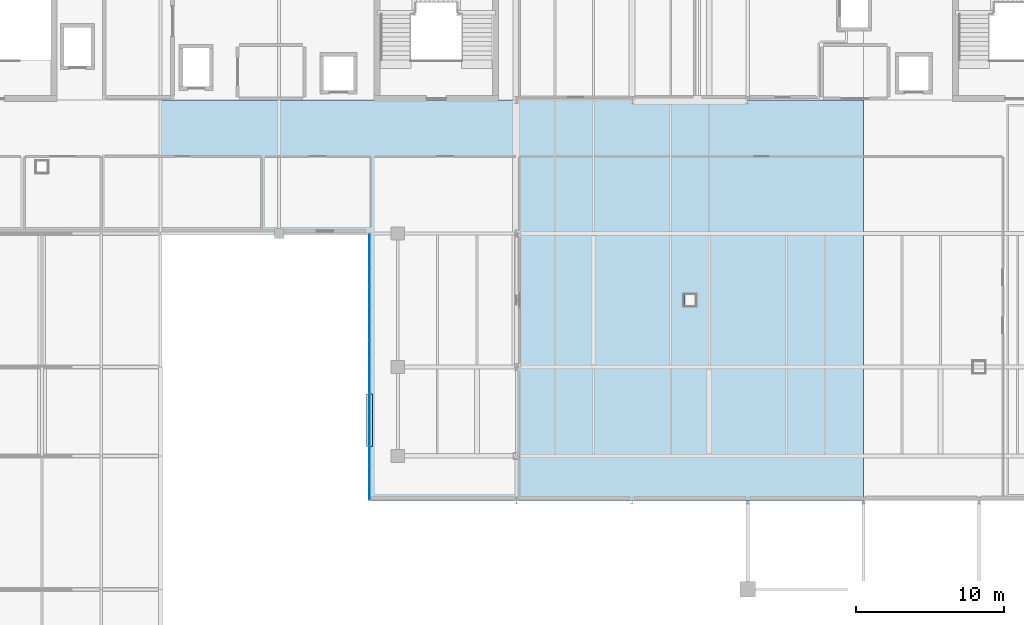
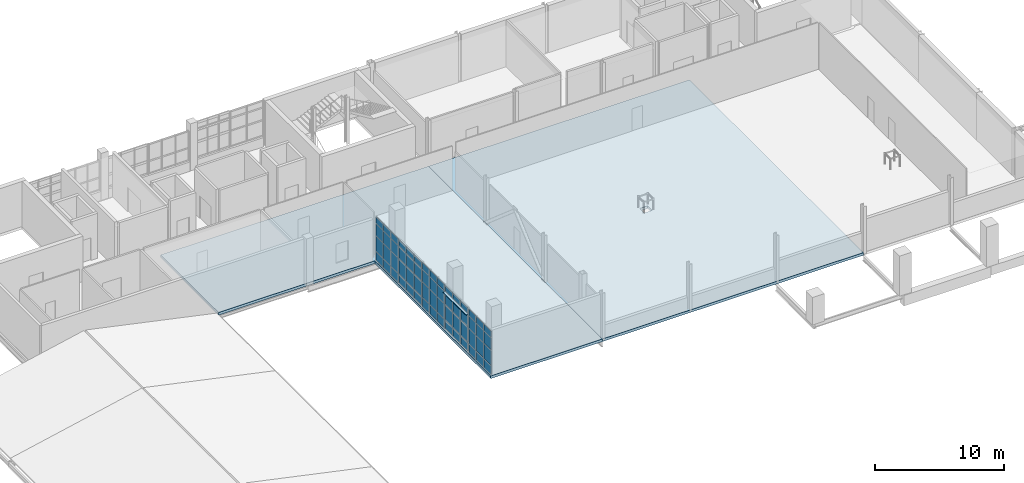
# One storey, part 20 of 38: 61 plates, 2 slabs, 5 elements without a shape of their own.
"""IFC4 building model written with IfcOpenShell, lengths in metres."""

import ifcopenshell
import ifcopenshell.guid

model = None  # the IFC model being written
_history = None  # IfcOwnerHistory: only IFC2X3 demands one
_inside = {}  # id of a spatial element -> (the spatial element, [elements in it])
_under = {}  # id of a project, library or spatial element -> (it, [spatial elements below it])
_declared = {}  # id of a project -> (the project, [libraries it declares])
_typed = {}  # id of a type object -> (the type object, [elements of that type])
_made_of = {}  # id of a material, layer set ... -> (it, [elements and type objects made of it])


def new_model(schema):
    """Start an empty IFC model of exactly this schema.

    Asked for "IFC4X3", IfcOpenShell would pick the latest addendum, in which some entities
    have other attributes; the version numbers below select the first issue.
    IFC2X3 requires an IfcOwnerHistory on every rooted entity: one is made here for all.
    """
    global model, _history
    if schema == "IFC4X3":
        model = ifcopenshell.file(schema_version=(4, 3, 0, 0))
    else:
        model = ifcopenshell.file(schema=schema)
    _inside.clear()
    _under.clear()
    _declared.clear()
    _typed.clear()
    _made_of.clear()
    _history = None
    if model.schema == "IFC2X3":
        org = make("IfcOrganization", Name="unknown")
        user = make(
            "IfcPersonAndOrganization",
            ThePerson=make("IfcPerson", FamilyName="unknown"),
            TheOrganization=org,
        )
        app = make(
            "IfcApplication",
            ApplicationDeveloper=org,
            Version="unknown",
            ApplicationFullName="unknown",
            ApplicationIdentifier="unknown",
        )
        _history = make(
            "IfcOwnerHistory",
            OwningUser=user,
            OwningApplication=app,
            ChangeAction="ADDED",
            CreationDate=0,
        )
    return model


def make(cls, **values):
    """One entity of the class cls with the attributes given. An attribute that is None is left unset."""
    return model.create_entity(
        cls, **{name: value for name, value in values.items() if value is not None}
    )


def rooted(cls, **values):
    """An entity with a GlobalId (a new one), such as an element, a storey or a relation."""
    return make(cls, GlobalId=ifcopenshell.guid.new(), OwnerHistory=_history, **values)


def si_unit(unit_type, name, prefix=None):
    """IfcSIUnit, for example si_unit("LENGTHUNIT", "METRE", prefix="MILLI")."""
    return make("IfcSIUnit", UnitType=unit_type, Prefix=prefix, Name=name)


def derived_unit(unit_type, elements):
    """IfcDerivedUnit: a product of units, each with its exponent."""
    return make(
        "IfcDerivedUnit",
        Elements=[
            make("IfcDerivedUnitElement", Unit=unit, Exponent=power)
            for unit, power in elements
        ],
        UnitType=unit_type,
    )


def assignment(units):
    """IfcUnitAssignment: the units of a project."""
    return None if units is None else make("IfcUnitAssignment", Units=units)


def point(xyz):
    """IfcCartesianPoint."""
    return None if xyz is None else make("IfcCartesianPoint", Coordinates=xyz)


def direction(xyz):
    """IfcDirection."""
    return None if xyz is None else make("IfcDirection", DirectionRatios=xyz)


def frame(location, z_axis=None, x_axis=None):
    """IfcAxis2Placement3D, a coordinate frame: its origin and axes. An axis left out is left unset."""
    return make(
        "IfcAxis2Placement3D",
        Location=point(location),
        Axis=direction(z_axis),
        RefDirection=direction(x_axis),
    )


def frame_2d(location, x_axis=None):
    """IfcAxis2Placement2D, a coordinate frame in the plane: its origin and x axis."""
    return make(
        "IfcAxis2Placement2D", Location=point(location), RefDirection=direction(x_axis)
    )


def origin():
    """The frame at (0, 0, 0) with its axes left unset."""
    return frame((0.0, 0.0, 0.0))


def origin_2d():
    """The frame at (0, 0) in the plane with its x axis left unset."""
    return frame_2d((0.0, 0.0))


def place(relative_to, where):
    """IfcLocalPlacement: puts the frame where relative to a parent placement (None: the world)."""
    return make(
        "IfcLocalPlacement", PlacementRelTo=relative_to, RelativePlacement=where
    )


def context(
    kind, dimensions, precision=None, world=None, true_north=None, identifier=None
):
    """IfcGeometricRepresentationContext, for example the 3D "Model" context."""
    return make(
        "IfcGeometricRepresentationContext",
        ContextIdentifier=identifier,
        ContextType=kind,
        CoordinateSpaceDimension=dimensions,
        Precision=precision,
        WorldCoordinateSystem=world,
        TrueNorth=true_north,
    )


def subcontext(parent, identifier, kind, view, scale=None):
    """IfcGeometricRepresentationSubContext, for example "Body" below "Model"."""
    return make(
        "IfcGeometricRepresentationSubContext",
        ContextIdentifier=identifier,
        ContextType=kind,
        ParentContext=parent,
        TargetScale=scale,
        TargetView=view,
    )


def project(units=None, contexts=None):
    """IfcProject with its units and contexts."""
    return rooted(
        "IfcProject",
        Name="project",
        RepresentationContexts=contexts,
        UnitsInContext=assignment(units),
    )


def spatial(cls, under=None, at=None, **own):
    """A site, building, storey or space (cls), placed at a placement, below another one or the project."""
    s = rooted(cls, ObjectPlacement=at, **own)
    if under is not None:
        _under.setdefault(under.id(), (under, []))[1].append(s)
    return s


def polyline(points):
    """IfcPolyline through the points."""
    return make("IfcPolyline", Points=[point(p) for p in points])


def profile(cls, at=None, kind="AREA", **sizes):
    """A parametric profile (cls). Its sizes go by their IFC names, for example OverallWidth=200.0."""
    return make(cls, ProfileType=kind, Position=at, **sizes)


def rectangle(**sizes):
    """IfcRectangleProfileDef."""
    return profile("IfcRectangleProfileDef", **sizes)


def outline(outer, holes=None, kind="AREA"):
    """IfcArbitraryClosedProfileDef: a profile drawn as a closed curve; with holes, ...WithVoids."""
    if holes is None:
        return make("IfcArbitraryClosedProfileDef", ProfileType=kind, OuterCurve=outer)
    return make(
        "IfcArbitraryProfileDefWithVoids",
        ProfileType=kind,
        OuterCurve=outer,
        InnerCurves=holes,
    )


def extrude(swept, where, along, depth):
    """IfcExtrudedAreaSolid: the profile swept, set in the frame where, extruded along a direction by depth."""
    return make(
        "IfcExtrudedAreaSolid",
        SweptArea=swept,
        Position=where,
        ExtrudedDirection=direction(along),
        Depth=depth,
    )


def shape(context_of_items, identifier, shape_type, items):
    """IfcShapeRepresentation: the items that make up one representation, for example the "Body"."""
    return make(
        "IfcShapeRepresentation",
        ContextOfItems=context_of_items,
        RepresentationIdentifier=identifier,
        RepresentationType=shape_type,
        Items=items,
    )


def material(Name=None, Category=None):
    """IfcMaterial."""
    return make("IfcMaterial", Name=Name, Category=Category)


def layer(
    of_material, thickness, ventilated=None, Name=None, Category=None, Priority=None
):
    """IfcMaterialLayer: one layer of a wall or slab, of a material (None: an air gap)."""
    return make(
        "IfcMaterialLayer",
        Material=of_material,
        LayerThickness=thickness,
        IsVentilated=ventilated,
        Name=Name,
        Category=Category,
        Priority=Priority,
    )


def layer_set(layers, Name=None):
    """IfcMaterialLayerSet."""
    return make("IfcMaterialLayerSet", MaterialLayers=layers, LayerSetName=Name)


def made_of(thing, what):
    """Note that an element or type object is made of a material, layer set ...; save() writes the relation."""
    if what is not None:
        _made_of.setdefault(what.id(), (what, []))[1].append(thing)
    return thing


def type_object(cls, material=None, **own):
    """A type object (cls), such as IfcWallType, which elements share."""
    return made_of(rooted(cls, **own), material)


def element(
    cls,
    number,
    at=None,
    inside=None,
    cuts=None,
    type_object=None,
    material=None,
    context=None,
    identifier="Body",
    shape_type=None,
    held_by="IfcProductDefinitionShape",
    body=None,
    shapes=None,
    **own,
):
    """One element of the class cls, such as IfcWall. Its Tag is "e" and its number.

    at: its placement. inside: the storey or other place that contains it. cuts: it is an
    opening in that element (IfcRelVoidsElement). A single representation is given by context,
    identifier, shape_type and body (its items); several are given by shapes. held_by: the class
    of the entity that holds the representations. save() writes the other relations.
    """
    e = rooted(cls, Tag="e%d" % number, ObjectPlacement=at, **own)
    if body is not None:
        shapes = [shape(context, identifier, shape_type, body)]
    if shapes is not None:
        e.Representation = make(held_by, Representations=shapes)
    if inside is not None:
        _inside.setdefault(inside.id(), (inside, []))[1].append(e)
    if cuts is not None:
        rooted(
            "IfcRelVoidsElement", RelatingBuildingElement=cuts, RelatedOpeningElement=e
        )
    if type_object is not None:
        _typed.setdefault(type_object.id(), (type_object, []))[1].append(e)
    return made_of(e, material)


def aggregate(whole, parts):
    """IfcRelAggregates: a whole, such as a stair, and the parts it consists of."""
    return rooted("IfcRelAggregates", RelatingObject=whole, RelatedObjects=parts)


def save(model, path):
    """Write the relations noted so far, then the file.

    IfcRelAggregates (storeys below a building ...), IfcRelContainedInSpatialStructure (elements
    in a storey), IfcRelDefinesByType, IfcRelAssociatesMaterial and IfcRelDeclares: one each for
    every whole, place, type object, material and project.
    """
    for whole, parts in _under.values():
        aggregate(whole, parts)
    for where, things in _inside.values():
        rooted(
            "IfcRelContainedInSpatialStructure",
            RelatedElements=things,
            RelatingStructure=where,
        )
    for kind, things in _typed.values():
        rooted("IfcRelDefinesByType", RelatedObjects=things, RelatingType=kind)
    for what, things in _made_of.values():
        rooted("IfcRelAssociatesMaterial", RelatedObjects=things, RelatingMaterial=what)
    for by, libraries in _declared.values():
        rooted("IfcRelDeclares", RelatingContext=by, RelatedDefinitions=libraries)
    model.write(path)


model = new_model("IFC4")

# Units and contexts
model_context = context("Model", 3, precision=1e-05, world=origin(), true_north=direction((0.0, 1.0)))
body_context = subcontext(model_context, "Body", "Model", "MODEL_VIEW")
ifc_project = project(units=[si_unit("LENGTHUNIT", "METRE"), si_unit("AREAUNIT", "SQUARE_METRE"), si_unit("VOLUMEUNIT", "CUBIC_METRE"), si_unit("PLANEANGLEUNIT", "RADIAN"), si_unit("MASSUNIT", "GRAM", prefix="KILO"), derived_unit("THERMALTRANSMITTANCEUNIT", [(si_unit("POWERUNIT", "WATT"), 1), (si_unit("LENGTHUNIT", "METRE"), -2), (si_unit("THERMODYNAMICTEMPERATUREUNIT", "KELVIN"), -1)])], contexts=[model_context])

# Site, building, storey
site_placement = place(None, origin())
site = spatial("IfcSite", under=ifc_project, at=site_placement, CompositionType="ELEMENT")
building_placement = place(site_placement, origin())
building = spatial("IfcBuilding", under=site, at=building_placement, Name="Nallur Shell Playhouse", CompositionType="ELEMENT")
storey_placement = place(building_placement, frame((0.0, 0.0, 24.300048828125)))
storey = spatial("IfcBuildingStorey", under=building, at=storey_placement, Name="L06", CompositionType="ELEMENT", Elevation=24.300048828125)

# Curtain wall, plates
ifc_material_1 = material(Name="Anodised Aluminium Double-Glazed Facade System", Category="aluminium")
ifc_layer_1 = layer(ifc_material_1, 0.172119140625)
ifc_layer_set_1 = layer_set([ifc_layer_1], Name="Anodised Aluminium Double-Glazed Facade System")
curtain_wall_type_1 = type_object("IfcCurtainWallType", Name="CW-UNIT-27", PredefinedType="NOTDEFINED", material=ifc_layer_set_1)
curtain_wall_1_placement = place(storey_placement, origin())
curtain_wall_1 = element("IfcCurtainWall", 1, at=curtain_wall_1_placement, inside=storey, type_object=curtain_wall_type_1, Name="Unitised curtain wall CW-187 (L06)", PredefinedType="NOTDEFINED")
ifc_material_2 = material(Name="Solar-Control Low-E Laminated Insulating Glass", Category="glass")
ifc_layer_2 = layer(ifc_material_2, 0.030029296875)
ifc_layer_set_2 = layer_set([ifc_layer_2], Name="Solar-Control Low-E Laminated Insulating Glass")
plate_type_1 = type_object("IfcPlateType", Name="PT-GLZ-03", PredefinedType="CURTAIN_PANEL", material=ifc_layer_set_2)
plate_1_placement = place(storey_placement, frame((54.090087890625, 47.615478515625, 0.05712890625), z_axis=(0.0, 0.0, 1.0), x_axis=(0.0, 1.0, 0.0)))
plate_1 = element("IfcPlate", 2, at=plate_1_placement, type_object=plate_type_1, Name="CW-27 panel 1.1", PredefinedType="CURTAIN_PANEL", context=body_context, shape_type="SweptSolid", body=[
    extrude(rectangle(XDim=1.116943359375, YDim=0.030029296875, at=origin_2d()), origin(), (0.0, 0.0, 1.0), 0.818603515625),
])
plate_2_placement = place(storey_placement, frame((54.090087890625, 47.615478515625, 0.92431640625), z_axis=(0.0, 0.0, 1.0), x_axis=(0.0, 1.0, 0.0)))
plate_2 = element("IfcPlate", 3, at=plate_2_placement, type_object=plate_type_1, Name="CW-27 panel 1.2", PredefinedType="CURTAIN_PANEL", context=body_context, shape_type="SweptSolid", body=[
    extrude(rectangle(XDim=1.116943359375, YDim=0.030029296875, at=origin_2d()), origin(), (0.0, 0.0, 1.0), 1.4140625),
])
plate_3_placement = place(storey_placement, frame((54.090087890625, 47.615478515625, 2.387451171875), z_axis=(0.0, 0.0, 1.0), x_axis=(0.0, 1.0, 0.0)))
plate_3 = element("IfcPlate", 4, at=plate_3_placement, type_object=plate_type_1, Name="CW-27 panel 1.3", PredefinedType="CURTAIN_PANEL", context=body_context, shape_type="SweptSolid", body=[
    extrude(rectangle(XDim=1.116943359375, YDim=0.030029296875, at=origin_2d()), origin(), (0.0, 0.0, 1.0), 1.1279296875),
])
plate_4_placement = place(storey_placement, frame((54.090087890625, 47.615478515625, 3.564453125), z_axis=(0.0, 0.0, 1.0), x_axis=(0.0, 1.0, 0.0)))
plate_4 = element("IfcPlate", 5, at=plate_4_placement, type_object=plate_type_1, Name="CW-27 panel 1.4", PredefinedType="CURTAIN_PANEL", context=body_context, shape_type="SweptSolid", body=[
    extrude(rectangle(XDim=1.116943359375, YDim=0.030029296875, at=origin_2d()), origin(), (0.0, 0.0, 1.0), 0.598388671875),
])
plate_5_placement = place(storey_placement, frame((54.090087890625, 48.797607421875, 0.05712890625), z_axis=(0.0, 0.0, 1.0), x_axis=(0.0, 1.0, 0.0)))
plate_5 = element("IfcPlate", 6, at=plate_5_placement, type_object=plate_type_1, Name="CW-27 panel 2.1", PredefinedType="CURTAIN_PANEL", context=body_context, shape_type="SweptSolid", body=[
    extrude(rectangle(XDim=1.1494140625, YDim=0.030029296875, at=origin_2d()), origin(), (0.0, 0.0, 1.0), 0.818603515625),
])
plate_6_placement = place(storey_placement, frame((54.090087890625, 48.797607421875, 0.92431640625), z_axis=(0.0, 0.0, 1.0), x_axis=(0.0, 1.0, 0.0)))
plate_6 = element("IfcPlate", 7, at=plate_6_placement, type_object=plate_type_1, Name="CW-27 panel 2.2", PredefinedType="CURTAIN_PANEL", context=body_context, shape_type="SweptSolid", body=[
    extrude(rectangle(XDim=1.1494140625, YDim=0.030029296875, at=origin_2d()), origin(), (0.0, 0.0, 1.0), 1.4140625),
])
plate_7_placement = place(storey_placement, frame((54.090087890625, 48.797607421875, 2.387451171875), z_axis=(0.0, 0.0, 1.0), x_axis=(0.0, 1.0, 0.0)))
plate_7 = element("IfcPlate", 8, at=plate_7_placement, type_object=plate_type_1, Name="CW-27 panel 2.3", PredefinedType="CURTAIN_PANEL", context=body_context, shape_type="SweptSolid", body=[
    extrude(rectangle(XDim=1.1494140625, YDim=0.030029296875, at=origin_2d()), origin(), (0.0, 0.0, 1.0), 1.1279296875),
])
plate_8_placement = place(storey_placement, frame((54.090087890625, 48.797607421875, 3.564453125), z_axis=(0.0, 0.0, 1.0), x_axis=(0.0, 1.0, 0.0)))
plate_8 = element("IfcPlate", 9, at=plate_8_placement, type_object=plate_type_1, Name="CW-27 panel 2.4", PredefinedType="CURTAIN_PANEL", context=body_context, shape_type="SweptSolid", body=[
    extrude(rectangle(XDim=1.1494140625, YDim=0.030029296875, at=origin_2d()), origin(), (0.0, 0.0, 1.0), 0.598388671875),
])
plate_9_placement = place(storey_placement, frame((54.090087890625, 49.9794921875, 0.05712890625), z_axis=(0.0, 0.0, 1.0), x_axis=(0.0, 1.0, 0.0)))
plate_9 = element("IfcPlate", 10, at=plate_9_placement, type_object=plate_type_1, Name="CW-27 panel 3.1", PredefinedType="CURTAIN_PANEL", context=body_context, shape_type="SweptSolid", body=[
    extrude(rectangle(XDim=1.116943359375, YDim=0.030029296875, at=origin_2d()), origin(), (0.0, 0.0, 1.0), 0.818603515625),
])
plate_10_placement = place(storey_placement, frame((54.090087890625, 49.9794921875, 0.92431640625), z_axis=(0.0, 0.0, 1.0), x_axis=(0.0, 1.0, 0.0)))
plate_10 = element("IfcPlate", 11, at=plate_10_placement, type_object=plate_type_1, Name="CW-27 panel 3.2", PredefinedType="CURTAIN_PANEL", context=body_context, shape_type="SweptSolid", body=[
    extrude(rectangle(XDim=1.116943359375, YDim=0.030029296875, at=origin_2d()), origin(), (0.0, 0.0, 1.0), 1.4140625),
])
plate_11_placement = place(storey_placement, frame((54.090087890625, 49.9794921875, 2.387451171875), z_axis=(0.0, 0.0, 1.0), x_axis=(0.0, 1.0, 0.0)))
plate_11 = element("IfcPlate", 12, at=plate_11_placement, type_object=plate_type_1, Name="CW-27 panel 3.3", PredefinedType="CURTAIN_PANEL", context=body_context, shape_type="SweptSolid", body=[
    extrude(rectangle(XDim=1.116943359375, YDim=0.030029296875, at=origin_2d()), origin(), (0.0, 0.0, 1.0), 1.1279296875),
])
plate_12_placement = place(storey_placement, frame((54.090087890625, 49.9794921875, 3.564453125), z_axis=(0.0, 0.0, 1.0), x_axis=(0.0, 1.0, 0.0)))
plate_12 = element("IfcPlate", 13, at=plate_12_placement, type_object=plate_type_1, Name="CW-27 panel 3.4", PredefinedType="CURTAIN_PANEL", context=body_context, shape_type="SweptSolid", body=[
    extrude(rectangle(XDim=1.116943359375, YDim=0.030029296875, at=origin_2d()), origin(), (0.0, 0.0, 1.0), 0.598388671875),
])
aggregate(curtain_wall_1, [plate_1, plate_2, plate_3, plate_4, plate_5, plate_6, plate_7, plate_8, plate_9, plate_10, plate_11, plate_12])

ifc_layer_3 = layer(ifc_material_1, 0.176025390625)
ifc_layer_set_3 = layer_set([ifc_layer_3], Name="Anodised Aluminium Double-Glazed Facade System")
curtain_wall_type_2 = type_object("IfcCurtainWallType", Name="CW-UNIT-28", PredefinedType="NOTDEFINED", material=ifc_layer_set_3)
curtain_wall_2_placement = place(storey_placement, origin())
curtain_wall_2 = element("IfcCurtainWall", 14, at=curtain_wall_2_placement, inside=storey, type_object=curtain_wall_type_2, Name="Unitised curtain wall CW-188 (L06)", PredefinedType="NOTDEFINED")
ifc_layer_4 = layer(ifc_material_2, 0.031982421875)
ifc_layer_set_4 = layer_set([ifc_layer_4], Name="Solar-Control Low-E Laminated Insulating Glass")
plate_type_2 = type_object("IfcPlateType", Name="PT-GLZ-04", PredefinedType="CURTAIN_PANEL", material=ifc_layer_set_4)
plate_13_placement = place(storey_placement, frame((54.090087890625, 51.223388671875, 0.091796875), z_axis=(0.0, 0.0, 1.0), x_axis=(0.0, 1.0, 0.0)))
plate_13 = element("IfcPlate", 15, at=plate_13_placement, type_object=plate_type_2, Name="CW-28 panel 1.1", PredefinedType="CURTAIN_PANEL", context=body_context, shape_type="SweptSolid", body=[
    extrude(rectangle(XDim=1.0927734375, YDim=0.031982421875, at=origin_2d()), origin(), (0.0, 0.0, 1.0), 0.76611328125),
])
plate_14_placement = place(storey_placement, frame((54.090087890625, 51.223388671875, 0.94189453125), z_axis=(0.0, 0.0, 1.0), x_axis=(0.0, 1.0, 0.0)))
plate_14 = element("IfcPlate", 16, at=plate_14_placement, type_object=plate_type_2, Name="CW-28 panel 1.2", PredefinedType="CURTAIN_PANEL", context=body_context, shape_type="SweptSolid", body=[
    extrude(rectangle(XDim=1.0927734375, YDim=0.031982421875, at=origin_2d()), origin(), (0.0, 0.0, 1.0), 1.4130859375),
])
plate_15_placement = place(storey_placement, frame((54.090087890625, 51.223388671875, 2.43896484375), z_axis=(0.0, 0.0, 1.0), x_axis=(0.0, 1.0, 0.0)))
plate_15 = element("IfcPlate", 17, at=plate_15_placement, type_object=plate_type_2, Name="CW-28 panel 1.3", PredefinedType="CURTAIN_PANEL", context=body_context, shape_type="SweptSolid", body=[
    extrude(rectangle(XDim=1.0927734375, YDim=0.031982421875, at=origin_2d()), origin(), (0.0, 0.0, 1.0), 1.118896484375),
])
plate_16_placement = place(storey_placement, frame((54.090087890625, 51.223388671875, 3.64208984375), z_axis=(0.0, 0.0, 1.0), x_axis=(0.0, 1.0, 0.0)))
plate_16 = element("IfcPlate", 18, at=plate_16_placement, type_object=plate_type_2, Name="CW-28 panel 1.4", PredefinedType="CURTAIN_PANEL", context=body_context, shape_type="SweptSolid", body=[
    extrude(rectangle(XDim=1.0927734375, YDim=0.031982421875, at=origin_2d()), origin(), (0.0, 0.0, 1.0), 0.5458984375),
])
plate_17_placement = place(storey_placement, frame((54.090087890625, 52.39990234375, 0.091796875), z_axis=(0.0, 0.0, 1.0), x_axis=(0.0, 1.0, 0.0)))
plate_17 = element("IfcPlate", 19, at=plate_17_placement, type_object=plate_type_2, Name="CW-28 panel 2.1", PredefinedType="CURTAIN_PANEL", context=body_context, shape_type="SweptSolid", body=[
    extrude(rectangle(XDim=1.132568359375, YDim=0.031982421875, at=origin_2d()), origin(), (0.0, 0.0, 1.0), 0.76611328125),
])
plate_18_placement = place(storey_placement, frame((54.090087890625, 52.39990234375, 0.94189453125), z_axis=(0.0, 0.0, 1.0), x_axis=(0.0, 1.0, 0.0)))
plate_18 = element("IfcPlate", 20, at=plate_18_placement, type_object=plate_type_2, Name="CW-28 panel 2.2", PredefinedType="CURTAIN_PANEL", context=body_context, shape_type="SweptSolid", body=[
    extrude(rectangle(XDim=1.132568359375, YDim=0.031982421875, at=origin_2d()), origin(), (0.0, 0.0, 1.0), 1.4130859375),
])
plate_19_placement = place(storey_placement, frame((54.090087890625, 52.39990234375, 2.43896484375), z_axis=(0.0, 0.0, 1.0), x_axis=(0.0, 1.0, 0.0)))
plate_19 = element("IfcPlate", 21, at=plate_19_placement, type_object=plate_type_2, Name="CW-28 panel 2.3", PredefinedType="CURTAIN_PANEL", context=body_context, shape_type="SweptSolid", body=[
    extrude(rectangle(XDim=1.132568359375, YDim=0.031982421875, at=origin_2d()), origin(), (0.0, 0.0, 1.0), 1.118896484375),
])
plate_20_placement = place(storey_placement, frame((54.090087890625, 52.39990234375, 3.64208984375), z_axis=(0.0, 0.0, 1.0), x_axis=(0.0, 1.0, 0.0)))
plate_20 = element("IfcPlate", 22, at=plate_20_placement, type_object=plate_type_2, Name="CW-28 panel 2.4", PredefinedType="CURTAIN_PANEL", context=body_context, shape_type="SweptSolid", body=[
    extrude(rectangle(XDim=1.132568359375, YDim=0.031982421875, at=origin_2d()), origin(), (0.0, 0.0, 1.0), 0.5458984375),
])
plate_21_placement = place(storey_placement, frame((54.090087890625, 53.57666015625, 0.091796875), z_axis=(0.0, 0.0, 1.0), x_axis=(0.0, 1.0, 0.0)))
plate_21 = element("IfcPlate", 23, at=plate_21_placement, type_object=plate_type_2, Name="CW-28 panel 3.1", PredefinedType="CURTAIN_PANEL", context=body_context, shape_type="SweptSolid", body=[
    extrude(rectangle(XDim=1.0927734375, YDim=0.031982421875, at=origin_2d()), origin(), (0.0, 0.0, 1.0), 0.76611328125),
])
plate_22_placement = place(storey_placement, frame((54.090087890625, 53.57666015625, 0.94189453125), z_axis=(0.0, 0.0, 1.0), x_axis=(0.0, 1.0, 0.0)))
plate_22 = element("IfcPlate", 24, at=plate_22_placement, type_object=plate_type_2, Name="CW-28 panel 3.2", PredefinedType="CURTAIN_PANEL", context=body_context, shape_type="SweptSolid", body=[
    extrude(rectangle(XDim=1.0927734375, YDim=0.031982421875, at=origin_2d()), origin(), (0.0, 0.0, 1.0), 1.4130859375),
])
plate_23_placement = place(storey_placement, frame((54.090087890625, 53.57666015625, 2.43896484375), z_axis=(0.0, 0.0, 1.0), x_axis=(0.0, 1.0, 0.0)))
plate_23 = element("IfcPlate", 25, at=plate_23_placement, type_object=plate_type_2, Name="CW-28 panel 3.3", PredefinedType="CURTAIN_PANEL", context=body_context, shape_type="SweptSolid", body=[
    extrude(rectangle(XDim=1.0927734375, YDim=0.031982421875, at=origin_2d()), origin(), (0.0, 0.0, 1.0), 1.118896484375),
])
plate_24_placement = place(storey_placement, frame((54.090087890625, 53.57666015625, 3.64208984375), z_axis=(0.0, 0.0, 1.0), x_axis=(0.0, 1.0, 0.0)))
plate_24 = element("IfcPlate", 26, at=plate_24_placement, type_object=plate_type_2, Name="CW-28 panel 3.4", PredefinedType="CURTAIN_PANEL", context=body_context, shape_type="SweptSolid", body=[
    extrude(rectangle(XDim=1.0927734375, YDim=0.031982421875, at=origin_2d()), origin(), (0.0, 0.0, 1.0), 0.5458984375),
])
aggregate(curtain_wall_2, [plate_13, plate_14, plate_15, plate_16, plate_17, plate_18, plate_19, plate_20, plate_21, plate_22, plate_23, plate_24])

ifc_layer_5 = layer(ifc_material_1, 0.179931640625)
ifc_layer_set_5 = layer_set([ifc_layer_5], Name="Anodised Aluminium Double-Glazed Facade System")
curtain_wall_type_3 = type_object("IfcCurtainWallType", Name="CW-UNIT-29", PredefinedType="NOTDEFINED", material=ifc_layer_set_5)
curtain_wall_3_placement = place(storey_placement, origin())
curtain_wall_3 = element("IfcCurtainWall", 27, at=curtain_wall_3_placement, inside=storey, type_object=curtain_wall_type_3, Name="Unitised curtain wall CW-189 (L06)", PredefinedType="NOTDEFINED")
ifc_layer_6 = layer(ifc_material_2, 0.033935546875)
ifc_layer_set_6 = layer_set([ifc_layer_6], Name="Solar-Control Low-E Laminated Insulating Glass")
plate_type_3 = type_object("IfcPlateType", Name="PT-GLZ-05", PredefinedType="CURTAIN_PANEL", material=ifc_layer_set_6)
plate_25_placement = place(storey_placement, frame((54.090087890625, 54.822021484375, 0.05712890625), z_axis=(0.0, 0.0, 1.0), x_axis=(0.0, 1.0, 0.0)))
plate_25 = element("IfcPlate", 28, at=plate_25_placement, type_object=plate_type_3, Name="CW-29 panel 1.1", PredefinedType="CURTAIN_PANEL", context=body_context, shape_type="SweptSolid", body=[
    extrude(rectangle(XDim=1.10009765625, YDim=0.033935546875, at=origin_2d()), origin(), (0.0, 0.0, 1.0), 0.818603515625),
])
plate_26_placement = place(storey_placement, frame((54.090087890625, 54.822021484375, 0.924560546875), z_axis=(0.0, 0.0, 1.0), x_axis=(0.0, 1.0, 0.0)))
plate_26 = element("IfcPlate", 29, at=plate_26_placement, type_object=plate_type_3, Name="CW-29 panel 1.2", PredefinedType="CURTAIN_PANEL", context=body_context, shape_type="SweptSolid", body=[
    extrude(rectangle(XDim=1.10009765625, YDim=0.033935546875, at=origin_2d()), origin(), (0.0, 0.0, 1.0), 1.43701171875),
])
plate_27_placement = place(storey_placement, frame((54.090087890625, 54.822021484375, 2.410400390625), z_axis=(0.0, 0.0, 1.0), x_axis=(0.0, 1.0, 0.0)))
plate_27 = element("IfcPlate", 30, at=plate_27_placement, type_object=plate_type_3, Name="CW-29 panel 1.3", PredefinedType="CURTAIN_PANEL", context=body_context, shape_type="SweptSolid", body=[
    extrude(rectangle(XDim=1.10009765625, YDim=0.033935546875, at=origin_2d()), origin(), (0.0, 0.0, 1.0), 1.14501953125),
])
plate_28_placement = place(storey_placement, frame((54.090087890625, 54.822021484375, 3.6044921875), z_axis=(0.0, 0.0, 1.0), x_axis=(0.0, 1.0, 0.0)))
plate_28 = element("IfcPlate", 31, at=plate_28_placement, type_object=plate_type_3, Name="CW-29 panel 1.4", PredefinedType="CURTAIN_PANEL", context=body_context, shape_type="SweptSolid", body=[
    extrude(rectangle(XDim=1.10009765625, YDim=0.033935546875, at=origin_2d()), origin(), (0.0, 0.0, 1.0), 0.598388671875),
])
plate_29_placement = place(storey_placement, frame((54.090087890625, 56.0, 0.05712890625), z_axis=(0.0, 0.0, 1.0), x_axis=(0.0, 1.0, 0.0)))
plate_29 = element("IfcPlate", 32, at=plate_29_placement, type_object=plate_type_3, Name="CW-29 panel 2.1", PredefinedType="CURTAIN_PANEL", context=body_context, shape_type="SweptSolid", body=[
    extrude(rectangle(XDim=1.1376953125, YDim=0.033935546875, at=origin_2d()), origin(), (0.0, 0.0, 1.0), 0.818603515625),
])
plate_30_placement = place(storey_placement, frame((54.090087890625, 56.0, 0.924560546875), z_axis=(0.0, 0.0, 1.0), x_axis=(0.0, 1.0, 0.0)))
plate_30 = element("IfcPlate", 33, at=plate_30_placement, type_object=plate_type_3, Name="CW-29 panel 2.2", PredefinedType="CURTAIN_PANEL", context=body_context, shape_type="SweptSolid", body=[
    extrude(rectangle(XDim=1.1376953125, YDim=0.033935546875, at=origin_2d()), origin(), (0.0, 0.0, 1.0), 1.43701171875),
])
plate_31_placement = place(storey_placement, frame((54.090087890625, 56.0, 2.410400390625), z_axis=(0.0, 0.0, 1.0), x_axis=(0.0, 1.0, 0.0)))
plate_31 = element("IfcPlate", 34, at=plate_31_placement, type_object=plate_type_3, Name="CW-29 panel 2.3", PredefinedType="CURTAIN_PANEL", context=body_context, shape_type="SweptSolid", body=[
    extrude(rectangle(XDim=1.1376953125, YDim=0.033935546875, at=origin_2d()), origin(), (0.0, 0.0, 1.0), 1.14501953125),
])
plate_32_placement = place(storey_placement, frame((54.090087890625, 56.0, 3.6044921875), z_axis=(0.0, 0.0, 1.0), x_axis=(0.0, 1.0, 0.0)))
plate_32 = element("IfcPlate", 35, at=plate_32_placement, type_object=plate_type_3, Name="CW-29 panel 2.4", PredefinedType="CURTAIN_PANEL", context=body_context, shape_type="SweptSolid", body=[
    extrude(rectangle(XDim=1.1376953125, YDim=0.033935546875, at=origin_2d()), origin(), (0.0, 0.0, 1.0), 0.598388671875),
])
plate_33_placement = place(storey_placement, frame((54.090087890625, 57.177978515625, 0.05712890625), z_axis=(0.0, 0.0, 1.0), x_axis=(0.0, 1.0, 0.0)))
plate_33 = element("IfcPlate", 36, at=plate_33_placement, type_object=plate_type_3, Name="CW-29 panel 3.1", PredefinedType="CURTAIN_PANEL", context=body_context, shape_type="SweptSolid", body=[
    extrude(rectangle(XDim=1.10009765625, YDim=0.033935546875, at=origin_2d()), origin(), (0.0, 0.0, 1.0), 0.818603515625),
])
plate_34_placement = place(storey_placement, frame((54.090087890625, 57.177978515625, 0.924560546875), z_axis=(0.0, 0.0, 1.0), x_axis=(0.0, 1.0, 0.0)))
plate_34 = element("IfcPlate", 37, at=plate_34_placement, type_object=plate_type_3, Name="CW-29 panel 3.2", PredefinedType="CURTAIN_PANEL", context=body_context, shape_type="SweptSolid", body=[
    extrude(rectangle(XDim=1.10009765625, YDim=0.033935546875, at=origin_2d()), origin(), (0.0, 0.0, 1.0), 1.43701171875),
])
plate_35_placement = place(storey_placement, frame((54.090087890625, 57.177978515625, 2.410400390625), z_axis=(0.0, 0.0, 1.0), x_axis=(0.0, 1.0, 0.0)))
plate_35 = element("IfcPlate", 38, at=plate_35_placement, type_object=plate_type_3, Name="CW-29 panel 3.3", PredefinedType="CURTAIN_PANEL", context=body_context, shape_type="SweptSolid", body=[
    extrude(rectangle(XDim=1.10009765625, YDim=0.033935546875, at=origin_2d()), origin(), (0.0, 0.0, 1.0), 1.14501953125),
])
plate_36_placement = place(storey_placement, frame((54.090087890625, 57.177978515625, 3.6044921875), z_axis=(0.0, 0.0, 1.0), x_axis=(0.0, 1.0, 0.0)))
plate_36 = element("IfcPlate", 39, at=plate_36_placement, type_object=plate_type_3, Name="CW-29 panel 3.4", PredefinedType="CURTAIN_PANEL", context=body_context, shape_type="SweptSolid", body=[
    extrude(rectangle(XDim=1.10009765625, YDim=0.033935546875, at=origin_2d()), origin(), (0.0, 0.0, 1.0), 0.598388671875),
])
aggregate(curtain_wall_3, [plate_25, plate_26, plate_27, plate_28, plate_29, plate_30, plate_31, plate_32, plate_33, plate_34, plate_35, plate_36])

ifc_layer_7 = layer(ifc_material_1, 0.159912109375)
ifc_layer_set_7 = layer_set([ifc_layer_7], Name="Anodised Aluminium Double-Glazed Facade System")
curtain_wall_type_4 = type_object("IfcCurtainWallType", Name="CW-UNIT-30", PredefinedType="NOTDEFINED", material=ifc_layer_set_7)
curtain_wall_4_placement = place(storey_placement, origin())
curtain_wall_4 = element("IfcCurtainWall", 40, at=curtain_wall_4_placement, inside=storey, type_object=curtain_wall_type_4, Name="Unitised curtain wall CW-190 (L06)", PredefinedType="NOTDEFINED")
ifc_layer_8 = layer(ifc_material_2, 0.035888671875)
ifc_layer_set_8 = layer_set([ifc_layer_8], Name="Solar-Control Low-E Laminated Insulating Glass")
plate_type_4 = type_object("IfcPlateType", Name="PT-GLZ-06", PredefinedType="CURTAIN_PANEL", material=ifc_layer_set_8)
plate_37_placement = place(storey_placement, frame((54.090087890625, 58.419677734375, 0.091796875), z_axis=(0.0, 0.0, 1.0), x_axis=(0.0, 1.0, 0.0)))
plate_37 = element("IfcPlate", 41, at=plate_37_placement, type_object=plate_type_4, Name="CW-30 panel 1.1", PredefinedType="CURTAIN_PANEL", context=body_context, shape_type="SweptSolid", body=[
    extrude(rectangle(XDim=1.115234375, YDim=0.035888671875, at=origin_2d()), origin(), (0.0, 0.0, 1.0), 0.76611328125),
])
plate_38_placement = place(storey_placement, frame((54.090087890625, 58.419677734375, 0.94189453125), z_axis=(0.0, 0.0, 1.0), x_axis=(0.0, 1.0, 0.0)))
plate_38 = element("IfcPlate", 42, at=plate_38_placement, type_object=plate_type_4, Name="CW-30 panel 1.2", PredefinedType="CURTAIN_PANEL", context=body_context, shape_type="SweptSolid", body=[
    extrude(rectangle(XDim=1.115234375, YDim=0.035888671875, at=origin_2d()), origin(), (0.0, 0.0, 1.0), 1.389892578125),
])
plate_39_placement = place(storey_placement, frame((54.090087890625, 58.419677734375, 2.416015625), z_axis=(0.0, 0.0, 1.0), x_axis=(0.0, 1.0, 0.0)))
plate_39 = element("IfcPlate", 43, at=plate_39_placement, type_object=plate_type_4, Name="CW-30 panel 1.3", PredefinedType="CURTAIN_PANEL", context=body_context, shape_type="SweptSolid", body=[
    extrude(rectangle(XDim=1.115234375, YDim=0.035888671875, at=origin_2d()), origin(), (0.0, 0.0, 1.0), 1.10205078125),
])
plate_40_placement = place(storey_placement, frame((54.090087890625, 58.419677734375, 3.60205078125), z_axis=(0.0, 0.0, 1.0), x_axis=(0.0, 1.0, 0.0)))
plate_40 = element("IfcPlate", 44, at=plate_40_placement, type_object=plate_type_4, Name="CW-30 panel 1.4", PredefinedType="CURTAIN_PANEL", context=body_context, shape_type="SweptSolid", body=[
    extrude(rectangle(XDim=1.115234375, YDim=0.035888671875, at=origin_2d()), origin(), (0.0, 0.0, 1.0), 0.5458984375),
])
plate_41_placement = place(storey_placement, frame((54.090087890625, 59.60009765625, 0.091796875), z_axis=(0.0, 0.0, 1.0), x_axis=(0.0, 1.0, 0.0)))
plate_41 = element("IfcPlate", 45, at=plate_41_placement, type_object=plate_type_4, Name="CW-30 panel 2.1", PredefinedType="CURTAIN_PANEL", context=body_context, shape_type="SweptSolid", body=[
    extrude(rectangle(XDim=1.147705078125, YDim=0.035888671875, at=origin_2d()), origin(), (0.0, 0.0, 1.0), 0.76611328125),
])
plate_42_placement = place(storey_placement, frame((54.090087890625, 59.60009765625, 0.94189453125), z_axis=(0.0, 0.0, 1.0), x_axis=(0.0, 1.0, 0.0)))
plate_42 = element("IfcPlate", 46, at=plate_42_placement, type_object=plate_type_4, Name="CW-30 panel 2.2", PredefinedType="CURTAIN_PANEL", context=body_context, shape_type="SweptSolid", body=[
    extrude(rectangle(XDim=1.147705078125, YDim=0.035888671875, at=origin_2d()), origin(), (0.0, 0.0, 1.0), 1.389892578125),
])
plate_43_placement = place(storey_placement, frame((54.090087890625, 59.60009765625, 2.416015625), z_axis=(0.0, 0.0, 1.0), x_axis=(0.0, 1.0, 0.0)))
plate_43 = element("IfcPlate", 47, at=plate_43_placement, type_object=plate_type_4, Name="CW-30 panel 2.3", PredefinedType="CURTAIN_PANEL", context=body_context, shape_type="SweptSolid", body=[
    extrude(rectangle(XDim=1.147705078125, YDim=0.035888671875, at=origin_2d()), origin(), (0.0, 0.0, 1.0), 1.10205078125),
])
plate_44_placement = place(storey_placement, frame((54.090087890625, 59.60009765625, 3.60205078125), z_axis=(0.0, 0.0, 1.0), x_axis=(0.0, 1.0, 0.0)))
plate_44 = element("IfcPlate", 48, at=plate_44_placement, type_object=plate_type_4, Name="CW-30 panel 2.4", PredefinedType="CURTAIN_PANEL", context=body_context, shape_type="SweptSolid", body=[
    extrude(rectangle(XDim=1.147705078125, YDim=0.035888671875, at=origin_2d()), origin(), (0.0, 0.0, 1.0), 0.5458984375),
])
plate_45_placement = place(storey_placement, frame((54.090087890625, 60.780517578125, 0.091796875), z_axis=(0.0, 0.0, 1.0), x_axis=(0.0, 1.0, 0.0)))
plate_45 = element("IfcPlate", 49, at=plate_45_placement, type_object=plate_type_4, Name="CW-30 panel 3.1", PredefinedType="CURTAIN_PANEL", context=body_context, shape_type="SweptSolid", body=[
    extrude(rectangle(XDim=1.115234375, YDim=0.035888671875, at=origin_2d()), origin(), (0.0, 0.0, 1.0), 0.76611328125),
])
plate_46_placement = place(storey_placement, frame((54.090087890625, 60.780517578125, 0.94189453125), z_axis=(0.0, 0.0, 1.0), x_axis=(0.0, 1.0, 0.0)))
plate_46 = element("IfcPlate", 50, at=plate_46_placement, type_object=plate_type_4, Name="CW-30 panel 3.2", PredefinedType="CURTAIN_PANEL", context=body_context, shape_type="SweptSolid", body=[
    extrude(rectangle(XDim=1.115234375, YDim=0.035888671875, at=origin_2d()), origin(), (0.0, 0.0, 1.0), 1.389892578125),
])
plate_47_placement = place(storey_placement, frame((54.090087890625, 60.780517578125, 2.416015625), z_axis=(0.0, 0.0, 1.0), x_axis=(0.0, 1.0, 0.0)))
plate_47 = element("IfcPlate", 51, at=plate_47_placement, type_object=plate_type_4, Name="CW-30 panel 3.3", PredefinedType="CURTAIN_PANEL", context=body_context, shape_type="SweptSolid", body=[
    extrude(rectangle(XDim=1.115234375, YDim=0.035888671875, at=origin_2d()), origin(), (0.0, 0.0, 1.0), 1.10205078125),
])
plate_48_placement = place(storey_placement, frame((54.090087890625, 60.780517578125, 3.60205078125), z_axis=(0.0, 0.0, 1.0), x_axis=(0.0, 1.0, 0.0)))
plate_48 = element("IfcPlate", 52, at=plate_48_placement, type_object=plate_type_4, Name="CW-30 panel 3.4", PredefinedType="CURTAIN_PANEL", context=body_context, shape_type="SweptSolid", body=[
    extrude(rectangle(XDim=1.115234375, YDim=0.035888671875, at=origin_2d()), origin(), (0.0, 0.0, 1.0), 0.5458984375),
])
aggregate(curtain_wall_4, [plate_37, plate_38, plate_39, plate_40, plate_41, plate_42, plate_43, plate_44, plate_45, plate_46, plate_47, plate_48])

ifc_layer_9 = layer(ifc_material_1, 0.1640625)
ifc_layer_set_9 = layer_set([ifc_layer_9], Name="Anodised Aluminium Double-Glazed Facade System")
curtain_wall_type_5 = type_object("IfcCurtainWallType", Name="CW-UNIT-31", PredefinedType="NOTDEFINED", material=ifc_layer_set_9)
curtain_wall_5_placement = place(storey_placement, origin())
curtain_wall_5 = element("IfcCurtainWall", 53, at=curtain_wall_5_placement, inside=storey, type_object=curtain_wall_type_5, Name="Unitised curtain wall CW-191 (L06)", PredefinedType="NOTDEFINED")
ifc_layer_10 = layer(ifc_material_2, 0.0380859375)
ifc_layer_set_10 = layer_set([ifc_layer_10], Name="Solar-Control Low-E Laminated Insulating Glass")
plate_type_5 = type_object("IfcPlateType", Name="PT-GLZ-07", PredefinedType="CURTAIN_PANEL", material=ifc_layer_set_10)
plate_49_placement = place(storey_placement, frame((54.090087890625, 62.024169921875, 0.05712890625), z_axis=(0.0, 0.0, 1.0), x_axis=(0.0, 1.0, 0.0)))
plate_49 = element("IfcPlate", 54, at=plate_49_placement, type_object=plate_type_5, Name="CW-31 panel 1.1", PredefinedType="CURTAIN_PANEL", context=body_context, shape_type="SweptSolid", body=[
    extrude(rectangle(XDim=1.09423828125, YDim=0.0380859375, at=origin_2d()), origin(), (0.0, 0.0, 1.0), 0.818603515625),
])
plate_50_placement = place(storey_placement, frame((54.090087890625, 62.024169921875, 0.92431640625), z_axis=(0.0, 0.0, 1.0), x_axis=(0.0, 1.0, 0.0)))
plate_50 = element("IfcPlate", 55, at=plate_50_placement, type_object=plate_type_5, Name="CW-31 panel 1.2", PredefinedType="CURTAIN_PANEL", context=body_context, shape_type="SweptSolid", body=[
    extrude(rectangle(XDim=1.09423828125, YDim=0.0380859375, at=origin_2d()), origin(), (0.0, 0.0, 1.0), 1.4140625),
])
plate_51_placement = place(storey_placement, frame((54.090087890625, 62.024169921875, 2.387451171875), z_axis=(0.0, 0.0, 1.0), x_axis=(0.0, 1.0, 0.0)))
plate_51 = element("IfcPlate", 56, at=plate_51_placement, type_object=plate_type_5, Name="CW-31 panel 1.3", PredefinedType="CURTAIN_PANEL", context=body_context, shape_type="SweptSolid", body=[
    extrude(rectangle(XDim=1.09423828125, YDim=0.0380859375, at=origin_2d()), origin(), (0.0, 0.0, 1.0), 1.1279296875),
])
plate_52_placement = place(storey_placement, frame((54.090087890625, 62.024169921875, 3.564453125), z_axis=(0.0, 0.0, 1.0), x_axis=(0.0, 1.0, 0.0)))
plate_52 = element("IfcPlate", 57, at=plate_52_placement, type_object=plate_type_5, Name="CW-31 panel 1.4", PredefinedType="CURTAIN_PANEL", context=body_context, shape_type="SweptSolid", body=[
    extrude(rectangle(XDim=1.09423828125, YDim=0.0380859375, at=origin_2d()), origin(), (0.0, 0.0, 1.0), 0.598388671875),
])
plate_53_placement = place(storey_placement, frame((54.090087890625, 63.202392578125, 0.05712890625), z_axis=(0.0, 0.0, 1.0), x_axis=(0.0, 1.0, 0.0)))
plate_53 = element("IfcPlate", 58, at=plate_53_placement, type_object=plate_type_5, Name="CW-31 panel 2.1", PredefinedType="CURTAIN_PANEL", context=body_context, shape_type="SweptSolid", body=[
    extrude(rectangle(XDim=1.13427734375, YDim=0.0380859375, at=origin_2d()), origin(), (0.0, 0.0, 1.0), 0.818603515625),
])
plate_54_placement = place(storey_placement, frame((54.090087890625, 63.202392578125, 0.92431640625), z_axis=(0.0, 0.0, 1.0), x_axis=(0.0, 1.0, 0.0)))
plate_54 = element("IfcPlate", 59, at=plate_54_placement, type_object=plate_type_5, Name="CW-31 panel 2.2", PredefinedType="CURTAIN_PANEL", context=body_context, shape_type="SweptSolid", body=[
    extrude(rectangle(XDim=1.13427734375, YDim=0.0380859375, at=origin_2d()), origin(), (0.0, 0.0, 1.0), 1.4140625),
])
plate_55_placement = place(storey_placement, frame((54.090087890625, 63.202392578125, 2.387451171875), z_axis=(0.0, 0.0, 1.0), x_axis=(0.0, 1.0, 0.0)))
plate_55 = element("IfcPlate", 60, at=plate_55_placement, type_object=plate_type_5, Name="CW-31 panel 2.3", PredefinedType="CURTAIN_PANEL", context=body_context, shape_type="SweptSolid", body=[
    extrude(rectangle(XDim=1.13427734375, YDim=0.0380859375, at=origin_2d()), origin(), (0.0, 0.0, 1.0), 1.1279296875),
])
plate_56_placement = place(storey_placement, frame((54.090087890625, 63.202392578125, 3.564453125), z_axis=(0.0, 0.0, 1.0), x_axis=(0.0, 1.0, 0.0)))
plate_56 = element("IfcPlate", 61, at=plate_56_placement, type_object=plate_type_5, Name="CW-31 panel 2.4", PredefinedType="CURTAIN_PANEL", context=body_context, shape_type="SweptSolid", body=[
    extrude(rectangle(XDim=1.13427734375, YDim=0.0380859375, at=origin_2d()), origin(), (0.0, 0.0, 1.0), 0.598388671875),
])
plate_57_placement = place(storey_placement, frame((54.090087890625, 64.380859375, 0.05712890625), z_axis=(0.0, 0.0, 1.0), x_axis=(0.0, 1.0, 0.0)))
plate_57 = element("IfcPlate", 62, at=plate_57_placement, type_object=plate_type_5, Name="CW-31 panel 3.1", PredefinedType="CURTAIN_PANEL", context=body_context, shape_type="SweptSolid", body=[
    extrude(rectangle(XDim=1.09423828125, YDim=0.0380859375, at=origin_2d()), origin(), (0.0, 0.0, 1.0), 0.818603515625),
])
plate_58_placement = place(storey_placement, frame((54.090087890625, 64.380859375, 0.92431640625), z_axis=(0.0, 0.0, 1.0), x_axis=(0.0, 1.0, 0.0)))
plate_58 = element("IfcPlate", 63, at=plate_58_placement, type_object=plate_type_5, Name="CW-31 panel 3.2", PredefinedType="CURTAIN_PANEL", context=body_context, shape_type="SweptSolid", body=[
    extrude(rectangle(XDim=1.09423828125, YDim=0.0380859375, at=origin_2d()), origin(), (0.0, 0.0, 1.0), 1.4140625),
])
plate_59_placement = place(storey_placement, frame((54.090087890625, 64.380859375, 2.387451171875), z_axis=(0.0, 0.0, 1.0), x_axis=(0.0, 1.0, 0.0)))
plate_59 = element("IfcPlate", 64, at=plate_59_placement, type_object=plate_type_5, Name="CW-31 panel 3.3", PredefinedType="CURTAIN_PANEL", context=body_context, shape_type="SweptSolid", body=[
    extrude(rectangle(XDim=1.09423828125, YDim=0.0380859375, at=origin_2d()), origin(), (0.0, 0.0, 1.0), 1.1279296875),
])
plate_60_placement = place(storey_placement, frame((54.090087890625, 64.380859375, 3.564453125), z_axis=(0.0, 0.0, 1.0), x_axis=(0.0, 1.0, 0.0)))
plate_60 = element("IfcPlate", 65, at=plate_60_placement, type_object=plate_type_5, Name="CW-31 panel 3.4", PredefinedType="CURTAIN_PANEL", context=body_context, shape_type="SweptSolid", body=[
    extrude(rectangle(XDim=1.09423828125, YDim=0.0380859375, at=origin_2d()), origin(), (0.0, 0.0, 1.0), 0.598388671875),
])
aggregate(curtain_wall_5, [plate_49, plate_50, plate_51, plate_52, plate_53, plate_54, plate_55, plate_56, plate_57, plate_58, plate_59, plate_60])

# Plate
ifc_material_3 = material(Name="Terracotta & Gold-Anodised Monsoon Sunshade Blade", Category="masonry")
ifc_layer_11 = layer(ifc_material_3, 0.054931640625)
ifc_layer_set_11 = layer_set([ifc_layer_11], Name="Terracotta & Gold-Anodised Monsoon Sunshade Blade")
plate_type_6 = type_object("IfcPlateType", Name="PT-LOUVRE-03", PredefinedType="USERDEFINED", material=ifc_layer_set_11)
plate_61_placement = place(storey_placement, frame((54.090087890625, 52.39990234375, 3.572265625), z_axis=(0.0, 0.0, 1.0), x_axis=(0.0, 1.0, 0.0)))
element("IfcPlate", 66, at=plate_61_placement, inside=storey, type_object=plate_type_6, Name="Monsoon sunshade louvre blade LV-047", ObjectType="SUNSHADE LOUVRE", PredefinedType="USERDEFINED", context=body_context, shape_type="SweptSolid", body=[
    extrude(rectangle(XDim=3.550048828125, YDim=0.419921875, at=origin_2d()), origin(), (0.0, 0.0, 1.0), 0.054931640625),
])

# Slabs
ifc_material_4 = material(Name="Concrete M30", Category="concrete")
ifc_layer_12 = layer(ifc_material_4, 0.25)
ifc_layer_set_12 = layer_set([ifc_layer_12], Name="Concrete M30")
slab_type = type_object("IfcSlabType", Name="SL-UPPER-250", PredefinedType="FLOOR", material=ifc_layer_set_12)
slab_1_placement = place(storey_placement, frame((0.0, 0.0, -0.25)))
element("IfcSlab", 67, at=slab_1_placement, inside=storey, type_object=slab_type, Name="L06 structural floor slab panel 03", PredefinedType="FLOOR", context=body_context, shape_type="SweptSolid", body=[
    extrude(outline(polyline([(40.0, 65.0), (40.0, 74.0), (64.0, 74.0), (64.0, 47.0), (54.0, 47.0), (54.0, 65.0), (40.0, 65.0)])), origin(), (0.0, 0.0, 1.0), 0.25),
])
slab_2_placement = place(storey_placement, frame((0.0, 0.0, -0.25)))
element("IfcSlab", 68, at=slab_2_placement, inside=storey, type_object=slab_type, Name="L06 structural floor slab panel 05", PredefinedType="FLOOR", context=body_context, shape_type="SweptSolid", body=[
    extrude(outline(polyline([(64.0, 47.0), (64.0, 74.0), (87.39990234375, 74.0), (87.39990234375, 47.0), (64.0, 47.0)]), holes=[polyline([(75.35009765625, 60.14990234375), (76.050048828125, 60.14990234375), (76.050048828125, 60.85009765625), (75.35009765625, 60.85009765625), (75.35009765625, 60.14990234375)])]), origin(), (0.0, 0.0, 1.0), 0.25),
])

save(model, "model.ifc")
